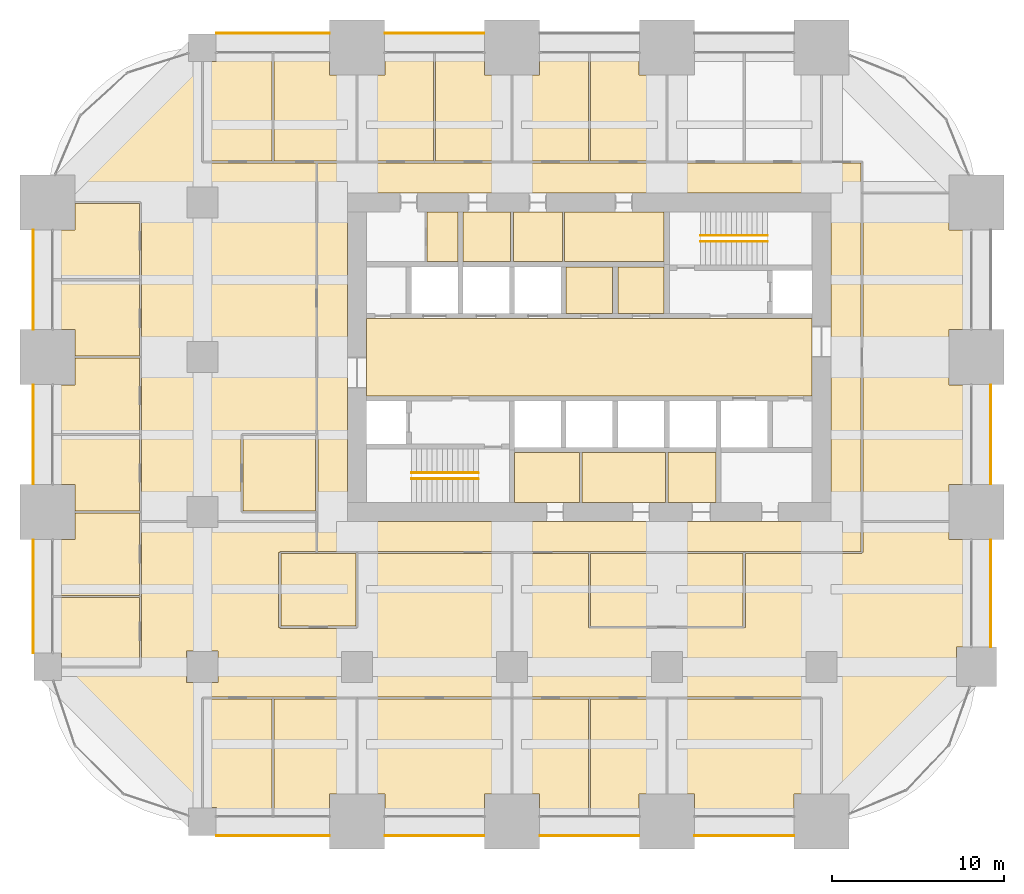
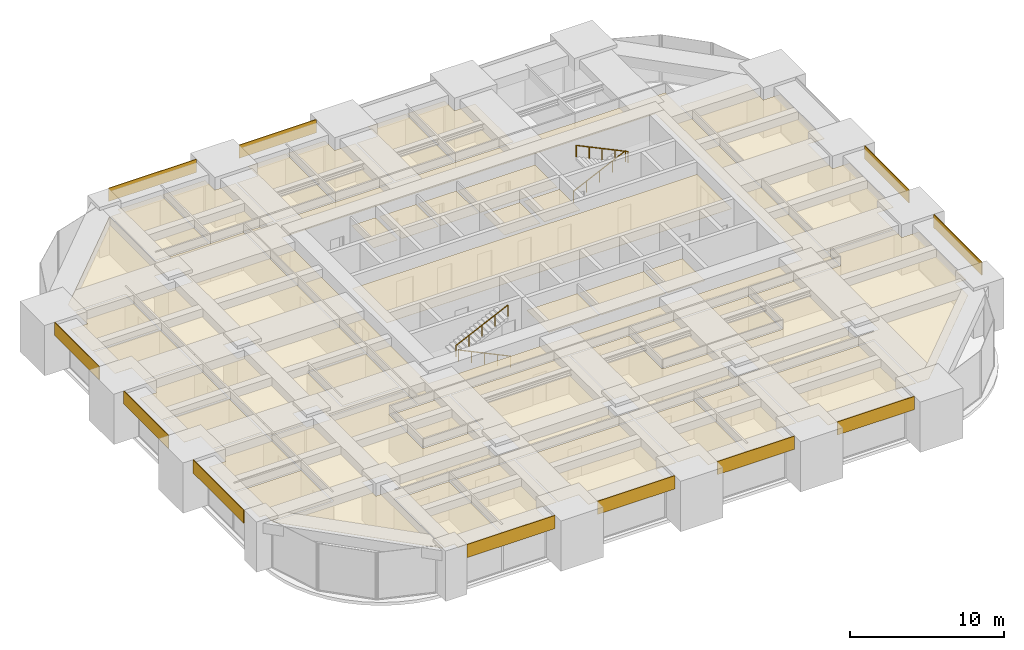
# One storey, part 35 of 36: 47 coverings, 4 railings.
"""IFC4 building model written with IfcOpenShell, lengths in metres."""

from ifc_helpers import new_model, si_unit, direction, frame, frame_2d, origin, origin_2d, place, context, subcontext, project, spatial, polyline, rectangle, circle, outline, extrude, material, layer, layer_set, type_object, element, save


model = new_model("IFC4")

# Units and contexts
model_context = context("Model", 3, precision=1e-05, world=origin(), true_north=direction((0.0, 1.0)))
body_context = subcontext(model_context, "Body", "Model", "MODEL_VIEW")
ifc_project = project(units=[si_unit("LENGTHUNIT", "METRE"), si_unit("AREAUNIT", "SQUARE_METRE"), si_unit("VOLUMEUNIT", "CUBIC_METRE"), si_unit("PLANEANGLEUNIT", "RADIAN"), si_unit("MASSUNIT", "GRAM", prefix="KILO")], contexts=[model_context])

# Site, building, storey
site_placement = place(None, origin())
site = spatial("IfcSite", under=ifc_project, at=site_placement, CompositionType="ELEMENT")
building_placement = place(site_placement, origin())
building = spatial("IfcBuilding", under=site, at=building_placement, Name="Zorevar Civic Tower", CompositionType="ELEMENT")
storey_placement = place(building_placement, frame((0.0, 0.0, 166.199951171875)))
storey = spatial("IfcBuildingStorey", under=building, at=storey_placement, Name="L40", CompositionType="ELEMENT", Elevation=166.199951171875)

# Railings
ifc_material_1 = material(Name="Black steel handrail", Category="steel")
railing_type = type_object("IfcRailingType", Name="Handrail HR1 900", PredefinedType="HANDRAIL", material=ifc_material_1)
railing_1_placement = place(storey_placement, frame((25.050048828125, 19.925048828125, 0.142822265625)))
element("IfcRailing", 1, at=railing_1_placement, inside=storey, type_object=railing_type, Name="Handrail HR1 ST1 L40", PredefinedType="HANDRAIL", context=body_context, shape_type="SweptSolid", body=[
    extrude(circle(Radius=0.02392578125, at=origin_2d()), frame((0.0, 0.0, 0.8759765625), z_axis=(-0.902863652845, 0.0, 0.429926998885), x_axis=(0.0, -1.0, 0.0)), (0.0, 0.0, 1.0), 4.31982421875),
    extrude(circle(Radius=0.02099609375, at=origin_2d()), origin(), (0.0, 0.0, 1.0), 0.851806640625),
    extrude(circle(Radius=0.02099609375, at=origin_2d()), frame((-0.97509765625, 0.0, 0.46435546875)), (0.0, 0.0, 1.0), 0.851806640625),
    extrude(circle(Radius=0.02099609375, at=origin_2d()), frame((-1.9501953125, 0.0, 0.9287109375)), (0.0, 0.0, 1.0), 0.851806640625),
    extrude(circle(Radius=0.02099609375, at=origin_2d()), frame((-2.925048828125, 0.0, 1.392822265625)), (0.0, 0.0, 1.0), 0.851806640625),
    extrude(circle(Radius=0.02099609375, at=origin_2d()), frame((-3.900146484375, 0.0, 1.857177734375)), (0.0, 0.0, 1.0), 0.851806640625),
])
for number, where, name in (
    (2, (21.14990234375, 20.27490234375, 2.142822265625), "Handrail HR1 ST1 L40"),
    (3, (37.949951171875, 34.074951171875, 0.142822265625), "Handrail HR1 ST2 L40"),
):
    element("IfcRailing", number, at=place(storey_placement, frame(where)), inside=storey, type_object=railing_type, Name=name, PredefinedType="HANDRAIL", context=body_context, shape_type="SweptSolid", body=[
        extrude(circle(Radius=0.02392578125, at=origin_2d()), frame((0.0, 0.0, 0.8759765625), z_axis=(0.902863652845, 0.0, 0.429926998885), x_axis=(0.0, 1.0, 0.0)), (0.0, 0.0, 1.0), 4.31982421875),
        extrude(circle(Radius=0.02099609375, at=origin_2d()), origin(), (0.0, 0.0, 1.0), 0.851806640625),
        extrude(circle(Radius=0.02099609375, at=origin_2d()), frame((0.97509765625, 0.0, 0.46435546875)), (0.0, 0.0, 1.0), 0.851806640625),
        extrude(circle(Radius=0.02099609375, at=origin_2d()), frame((1.9501953125, 0.0, 0.9287109375)), (0.0, 0.0, 1.0), 0.851806640625),
        extrude(circle(Radius=0.02099609375, at=origin_2d()), frame((2.925048828125, 0.0, 1.392822265625)), (0.0, 0.0, 1.0), 0.851806640625),
        extrude(circle(Radius=0.02099609375, at=origin_2d()), frame((3.900146484375, 0.0, 1.857177734375)), (0.0, 0.0, 1.0), 0.851806640625),
    ])
railing_2_placement = place(storey_placement, frame((41.85009765625, 33.72509765625, 2.142822265625)))
element("IfcRailing", 4, at=railing_2_placement, inside=storey, type_object=railing_type, Name="Handrail HR1 ST2 L40", PredefinedType="HANDRAIL", context=body_context, shape_type="SweptSolid", body=[
    extrude(circle(Radius=0.02392578125, at=origin_2d()), frame((0.0, 0.0, 0.8759765625), z_axis=(-0.902863652845, 0.0, 0.429926998885), x_axis=(0.0, -1.0, 0.0)), (0.0, 0.0, 1.0), 4.31982421875),
    extrude(circle(Radius=0.02099609375, at=origin_2d()), origin(), (0.0, 0.0, 1.0), 0.851806640625),
    extrude(circle(Radius=0.02099609375, at=origin_2d()), frame((-0.97509765625, 0.0, 0.46435546875)), (0.0, 0.0, 1.0), 0.851806640625),
    extrude(circle(Radius=0.02099609375, at=origin_2d()), frame((-1.9501953125, 0.0, 0.9287109375)), (0.0, 0.0, 1.0), 0.851806640625),
    extrude(circle(Radius=0.02099609375, at=origin_2d()), frame((-2.925048828125, 0.0, 1.392822265625)), (0.0, 0.0, 1.0), 0.851806640625),
    extrude(circle(Radius=0.02099609375, at=origin_2d()), frame((-3.900146484375, 0.0, 1.857177734375)), (0.0, 0.0, 1.0), 0.851806640625),
])

# Coverings
ifc_material_2 = material(Name="Moisture-resistant gypsum board")
ifc_layer_1 = layer(ifc_material_2, 0.012451171875)
ifc_layer_set_1 = layer_set([ifc_layer_1], Name="Moisture-resistant ceiling SC3")
covering_type_1 = type_object("IfcCoveringType", Name="Moisture-resistant ceiling SC3", PredefinedType="CEILING", material=ifc_layer_set_1)
covering_1_placement = place(storey_placement, frame((0.0, 0.0, 3.0)))
element("IfcCovering", 5, at=covering_1_placement, inside=storey, type_object=covering_type_1, Name="Ceiling L40-05", PredefinedType="CEILING", context=body_context, shape_type="SweptSolid", body=[
    extrude(outline(polyline([(30.925048828125, 18.550048828125), (30.925048828125, 21.449951171875), (27.14990234375, 21.449951171875), (27.14990234375, 18.550048828125), (30.925048828125, 18.550048828125)])), origin(), (0.0, 0.0, 1.0), 0.012451171875),
])
covering_2_placement = place(storey_placement, frame((0.0, 0.0, 3.0)))
element("IfcCovering", 6, at=covering_2_placement, inside=storey, type_object=covering_type_1, Name="Ceiling L40-06", PredefinedType="CEILING", context=body_context, shape_type="SweptSolid", body=[
    extrude(outline(polyline([(35.925048828125, 18.550048828125), (35.925048828125, 21.449951171875), (31.074951171875, 21.449951171875), (31.074951171875, 18.550048828125), (35.925048828125, 18.550048828125)])), origin(), (0.0, 0.0, 1.0), 0.012451171875),
])
covering_3_placement = place(storey_placement, frame((0.0, 0.0, 3.0)))
element("IfcCovering", 7, at=covering_3_placement, inside=storey, type_object=covering_type_1, Name="Ceiling L40-07", PredefinedType="CEILING", context=body_context, shape_type="SweptSolid", body=[
    extrude(outline(polyline([(38.85009765625, 18.550048828125), (38.85009765625, 21.449951171875), (36.074951171875, 21.449951171875), (36.074951171875, 18.550048828125), (38.85009765625, 18.550048828125)])), origin(), (0.0, 0.0, 1.0), 0.012451171875),
])
covering_4_placement = place(storey_placement, frame((0.0, 0.0, 3.0)))
element("IfcCovering", 8, at=covering_4_placement, inside=storey, type_object=covering_type_1, Name="Ceiling L40-10", PredefinedType="CEILING", context=body_context, shape_type="SweptSolid", body=[
    extrude(outline(polyline([(26.925048828125, 32.550048828125), (26.925048828125, 35.449951171875), (24.14990234375, 35.449951171875), (24.14990234375, 32.550048828125), (26.925048828125, 32.550048828125)])), origin(), (0.0, 0.0, 1.0), 0.012451171875),
])
ifc_material_3 = material(Name="Black anodised aluminium spandrel panel", Category="aluminium")
ifc_layer_2 = layer(ifc_material_3, 0.050048828125)
ifc_layer_set_2 = layer_set([ifc_layer_2], Name="Spandrel cladding SP1")
covering_type_2 = type_object("IfcCoveringType", Name="Spandrel cladding SP1", PredefinedType="CLADDING", material=ifc_layer_set_2)
covering_5_placement = place(storey_placement, frame((9.800048828125, -0.824951171875, 2.949951171875), z_axis=(0.0, 0.0, 1.0), x_axis=(1.0, 0.0, 0.0)))
element("IfcCovering", 9, at=covering_5_placement, inside=storey, type_object=covering_type_2, Name="Spandrel cladding L41", PredefinedType="CLADDING", context=body_context, shape_type="SweptSolid", body=[
    extrude(rectangle(XDim=6.599853515625, YDim=0.050048828125, at=frame_2d((3.2998046875, 0.0))), origin(), (0.0, 0.0, 1.0), 1.050048828125),
])
for number, where, z_axis, x_axis, name in (
    (10, (19.60009765625, -0.824951171875, 2.949951171875), (0.0, 0.0, 1.0), (1.0, 0.0, 0.0), "Spandrel cladding L41"),
    (11, (28.60009765625, -0.824951171875, 2.949951171875), (0.0, 0.0, 1.0), (1.0, 0.0, 0.0), "Spandrel cladding L41"),
    (12, (37.60009765625, -0.824951171875, 2.949951171875), (0.0, 0.0, 1.0), (1.0, 0.0, 0.0), "Spandrel cladding L41"),
):
    element("IfcCovering", number, at=place(storey_placement, frame(where, z_axis=z_axis, x_axis=x_axis)), inside=storey, type_object=covering_type_2, Name=name, PredefinedType="CLADDING", context=body_context, shape_type="SweptSolid", body=[
        extrude(rectangle(XDim=5.7998046875, YDim=0.050048828125, at=frame_2d((2.89990234375, 0.0))), origin(), (0.0, 0.0, 1.0), 1.050048828125),
    ])
covering_6_placement = place(storey_placement, frame((9.800048828125, 45.824951171875, 2.949951171875), z_axis=(0.0, 0.0, 1.0), x_axis=(1.0, 0.0, 0.0)))
element("IfcCovering", 13, at=covering_6_placement, inside=storey, type_object=covering_type_2, Name="Spandrel cladding L41", PredefinedType="CLADDING", context=body_context, shape_type="SweptSolid", body=[
    extrude(rectangle(XDim=6.599853515625, YDim=0.050048828125, at=frame_2d((3.2998046875, 0.0))), origin(), (0.0, 0.0, 1.0), 1.050048828125),
])
covering_7_placement = place(storey_placement, frame((19.60009765625, 45.824951171875, 2.949951171875), z_axis=(0.0, 0.0, 1.0), x_axis=(1.0, 0.0, 0.0)))
element("IfcCovering", 14, at=covering_7_placement, inside=storey, type_object=covering_type_2, Name="Spandrel cladding L41", PredefinedType="CLADDING", context=body_context, shape_type="SweptSolid", body=[
    extrude(rectangle(XDim=5.7998046875, YDim=0.050048828125, at=frame_2d((2.89990234375, 0.0))), origin(), (0.0, 0.0, 1.0), 1.050048828125),
])
covering_8_placement = place(storey_placement, frame((-0.824951171875, 9.800048828125, 2.949951171875), z_axis=(0.0, 0.0, 1.0), x_axis=(0.0, 1.0, 0.0)))
element("IfcCovering", 15, at=covering_8_placement, inside=storey, type_object=covering_type_2, Name="Spandrel cladding L41", PredefinedType="CLADDING", context=body_context, shape_type="SweptSolid", body=[
    extrude(rectangle(XDim=6.599853515625, YDim=0.050048828125, at=frame_2d((3.2998046875, 0.0))), origin(), (0.0, 0.0, 1.0), 1.050048828125),
])
for number, where, z_axis, x_axis, name in (
    (16, (-0.824951171875, 19.60009765625, 2.949951171875), (0.0, 0.0, 1.0), (0.0, 1.0, 0.0), "Spandrel cladding L41"),
    (17, (-0.824951171875, 28.60009765625, 2.949951171875), (0.0, 0.0, 1.0), (0.0, 1.0, 0.0), "Spandrel cladding L41"),
):
    element("IfcCovering", number, at=place(storey_placement, frame(where, z_axis=z_axis, x_axis=x_axis)), inside=storey, type_object=covering_type_2, Name=name, PredefinedType="CLADDING", context=body_context, shape_type="SweptSolid", body=[
        extrude(rectangle(XDim=5.7998046875, YDim=0.050048828125, at=frame_2d((2.89990234375, 0.0))), origin(), (0.0, 0.0, 1.0), 1.050048828125),
    ])
covering_9_placement = place(storey_placement, frame((54.824951171875, 10.14990234375, 2.949951171875), z_axis=(0.0, 0.0, 1.0), x_axis=(0.0, 1.0, 0.0)))
element("IfcCovering", 18, at=covering_9_placement, inside=storey, type_object=covering_type_2, Name="Spandrel cladding L41", PredefinedType="CLADDING", context=body_context, shape_type="SweptSolid", body=[
    extrude(rectangle(XDim=6.25, YDim=0.050048828125, at=frame_2d((3.125, 0.0))), origin(), (0.0, 0.0, 1.0), 1.050048828125),
])
covering_10_placement = place(storey_placement, frame((54.824951171875, 19.60009765625, 2.949951171875), z_axis=(0.0, 0.0, 1.0), x_axis=(0.0, 1.0, 0.0)))
element("IfcCovering", 19, at=covering_10_placement, inside=storey, type_object=covering_type_2, Name="Spandrel cladding L41", PredefinedType="CLADDING", context=body_context, shape_type="SweptSolid", body=[
    extrude(rectangle(XDim=5.7998046875, YDim=0.050048828125, at=frame_2d((2.89990234375, 0.0))), origin(), (0.0, 0.0, 1.0), 1.050048828125),
])
ifc_material_4 = material(Name="Mineral fibre tiles on a concealed grid")
ifc_layer_3 = layer(ifc_material_4, 0.02001953125)
ifc_layer_set_3 = layer_set([ifc_layer_3], Name="Suspended ceiling SC1")
covering_type_3 = type_object("IfcCoveringType", Name="Suspended ceiling SC1", PredefinedType="CEILING", material=ifc_layer_set_3)
covering_11_placement = place(storey_placement, frame((0.0, 0.0, 3.0)))
element("IfcCovering", 20, at=covering_11_placement, inside=storey, type_object=covering_type_3, Name="Ceiling L40-08", PredefinedType="CEILING", context=body_context, shape_type="SweptSolid", body=[
    extrude(outline(polyline([(35.85009765625, 32.550048828125), (35.85009765625, 35.449951171875), (30.06005859375, 35.449951171875), (30.06005859375, 32.550048828125), (35.85009765625, 32.550048828125)])), origin(), (0.0, 0.0, 1.0), 0.02001953125),
])
covering_12_placement = place(storey_placement, frame((0.0, 0.0, 3.0)))
element("IfcCovering", 21, at=covering_12_placement, inside=storey, type_object=covering_type_3, Name="Ceiling L40-09", PredefinedType="CEILING", context=body_context, shape_type="SweptSolid", body=[
    extrude(outline(polyline([(29.93994140625, 32.550048828125), (29.93994140625, 35.449951171875), (27.074951171875, 35.449951171875), (27.074951171875, 32.550048828125), (29.93994140625, 32.550048828125)])), origin(), (0.0, 0.0, 1.0), 0.02001953125),
])
covering_13_placement = place(storey_placement, frame((0.0, 0.0, 3.0)))
element("IfcCovering", 22, at=covering_13_placement, inside=storey, type_object=covering_type_3, Name="Ceiling L40-12", PredefinedType="CEILING", context=body_context, shape_type="SweptSolid", body=[
    extrude(outline(polyline([(23.85009765625, 32.550048828125), (23.85009765625, 35.449951171875), (22.06005859375, 35.449951171875), (22.06005859375, 32.550048828125), (23.85009765625, 32.550048828125)])), origin(), (0.0, 0.0, 1.0), 0.02001953125),
])
covering_14_placement = place(storey_placement, frame((0.0, 0.0, 3.0)))
element("IfcCovering", 23, at=covering_14_placement, inside=storey, type_object=covering_type_3, Name="Ceiling L40-16", PredefinedType="CEILING", context=body_context, shape_type="SweptSolid", body=[
    extrude(outline(polyline([(44.449951171875, 24.75), (44.449951171875, 29.25), (18.550048828125, 29.25), (18.550048828125, 24.75), (44.449951171875, 24.75)])), origin(), (0.0, 0.0, 1.0), 0.02001953125),
])
covering_15_placement = place(storey_placement, frame((0.0, 0.0, 3.0)))
element("IfcCovering", 24, at=covering_15_placement, inside=storey, type_object=covering_type_3, Name="Ceiling L40-17", PredefinedType="CEILING", context=body_context, shape_type="SweptSolid", body=[
    extrude(outline(polyline([(35.85009765625, 29.550048828125), (35.85009765625, 32.25), (33.14990234375, 32.25), (33.14990234375, 29.550048828125), (35.85009765625, 29.550048828125)])), origin(), (0.0, 0.0, 1.0), 0.02001953125),
])
covering_16_placement = place(storey_placement, frame((0.0, 0.0, 3.0)))
element("IfcCovering", 25, at=covering_16_placement, inside=storey, type_object=covering_type_3, Name="Ceiling L40-18", PredefinedType="CEILING", context=body_context, shape_type="SweptSolid", body=[
    extrude(outline(polyline([(32.85009765625, 29.550048828125), (32.85009765625, 32.25), (30.14990234375, 32.25), (30.14990234375, 29.550048828125), (32.85009765625, 29.550048828125)])), origin(), (0.0, 0.0, 1.0), 0.02001953125),
])
covering_17_placement = place(storey_placement, frame((0.0, 0.0, 3.0)))
element("IfcCovering", 26, at=covering_17_placement, inside=storey, type_object=covering_type_3, Name="Ceiling L40-19", PredefinedType="CEILING", context=body_context, shape_type="SweptSolid", body=[
    extrude(outline(polyline([(13.0400390625, 7.139892578125), (13.0400390625, 0.35009765625), (9.81005859375, 0.35009765625), (9.81005859375, 0.81005859375), (9.06005859375, 0.81005859375), (9.06005859375, 7.139892578125), (13.0400390625, 7.139892578125)])), origin(), (0.0, 0.0, 1.0), 0.02001953125),
])
covering_18_placement = place(storey_placement, frame((0.0, 0.0, 3.0)))
element("IfcCovering", 27, at=covering_18_placement, inside=storey, type_object=covering_type_3, Name="Ceiling L40-20", PredefinedType="CEILING", context=body_context, shape_type="SweptSolid", body=[
    extrude(outline(polyline([(17.93994140625, 7.139892578125), (17.93994140625, 1.610107421875), (16.389892578125, 1.610107421875), (16.389892578125, 0.35009765625), (13.159912109375, 0.35009765625), (13.159912109375, 7.139892578125), (17.93994140625, 7.139892578125)])), origin(), (0.0, 0.0, 1.0), 0.02001953125),
])
covering_19_placement = place(storey_placement, frame((0.0, 0.0, 3.0)))
element("IfcCovering", 28, at=covering_19_placement, inside=storey, type_object=covering_type_3, Name="Ceiling L40-21", PredefinedType="CEILING", context=body_context, shape_type="SweptSolid", body=[
    extrude(outline(polyline([(19.610107421875, 0.35009765625), (19.610107421875, 1.610107421875), (18.06005859375, 1.610107421875), (18.06005859375, 7.139892578125), (26.93994140625, 7.139892578125), (26.93994140625, 1.610107421875), (25.389892578125, 1.610107421875), (25.389892578125, 0.35009765625), (19.610107421875, 0.35009765625)])), origin(), (0.0, 0.0, 1.0), 0.02001953125),
])
covering_20_placement = place(storey_placement, frame((0.0, 0.0, 3.0)))
element("IfcCovering", 29, at=covering_20_placement, inside=storey, type_object=covering_type_3, Name="Ceiling L40-22", PredefinedType="CEILING", context=body_context, shape_type="SweptSolid", body=[
    extrude(outline(polyline([(31.43994140625, 7.139892578125), (31.43994140625, 0.35009765625), (28.610107421875, 0.35009765625), (28.610107421875, 1.610107421875), (27.06005859375, 1.610107421875), (27.06005859375, 7.139892578125), (31.43994140625, 7.139892578125)])), origin(), (0.0, 0.0, 1.0), 0.02001953125),
])
covering_21_placement = place(storey_placement, frame((0.0, 0.0, 3.0)))
element("IfcCovering", 30, at=covering_21_placement, inside=storey, type_object=covering_type_3, Name="Ceiling L40-23", PredefinedType="CEILING", context=body_context, shape_type="SweptSolid", body=[
    extrude(outline(polyline([(35.93994140625, 7.139892578125), (35.93994140625, 1.610107421875), (34.389892578125, 1.610107421875), (34.389892578125, 0.35009765625), (31.56005859375, 0.35009765625), (31.56005859375, 7.139892578125), (35.93994140625, 7.139892578125)])), origin(), (0.0, 0.0, 1.0), 0.02001953125),
])
covering_22_placement = place(storey_placement, frame((0.0, 0.0, 3.0)))
element("IfcCovering", 31, at=covering_22_placement, inside=storey, type_object=covering_type_3, Name="Ceiling L40-24", PredefinedType="CEILING", context=body_context, shape_type="SweptSolid", body=[
    extrude(outline(polyline([(37.610107421875, 0.35009765625), (37.610107421875, 1.610107421875), (36.06005859375, 1.610107421875), (36.06005859375, 7.139892578125), (44.93994140625, 7.139892578125), (44.93994140625, 1.610107421875), (43.389892578125, 1.610107421875), (43.389892578125, 0.35009765625), (37.610107421875, 0.35009765625)])), origin(), (0.0, 0.0, 1.0), 0.02001953125),
])
covering_23_placement = place(storey_placement, frame((0.0, 0.0, 3.0)))
element("IfcCovering", 32, at=covering_23_placement, inside=storey, type_object=covering_type_3, Name="Ceiling L40-25", PredefinedType="CEILING", context=body_context, shape_type="SweptSolid", body=[
    extrude(outline(polyline([(9.06005859375, 38.409912109375), (9.06005859375, 44.18994140625), (9.81005859375, 44.18994140625), (9.81005859375, 44.64990234375), (13.0400390625, 44.64990234375), (13.0400390625, 38.409912109375), (9.06005859375, 38.409912109375)])), origin(), (0.0, 0.0, 1.0), 0.02001953125),
])
covering_24_placement = place(storey_placement, frame((0.0, 0.0, 3.0)))
element("IfcCovering", 33, at=covering_24_placement, inside=storey, type_object=covering_type_3, Name="Ceiling L40-26", PredefinedType="CEILING", context=body_context, shape_type="SweptSolid", body=[
    extrude(outline(polyline([(13.159912109375, 38.409912109375), (13.159912109375, 44.64990234375), (16.389892578125, 44.64990234375), (16.389892578125, 43.389892578125), (17.93994140625, 43.389892578125), (17.93994140625, 38.409912109375), (13.159912109375, 38.409912109375)])), origin(), (0.0, 0.0, 1.0), 0.02001953125),
])
covering_25_placement = place(storey_placement, frame((0.0, 0.0, 3.0)))
element("IfcCovering", 34, at=covering_25_placement, inside=storey, type_object=covering_type_3, Name="Ceiling L40-27", PredefinedType="CEILING", context=body_context, shape_type="SweptSolid", body=[
    extrude(outline(polyline([(18.06005859375, 38.409912109375), (18.06005859375, 43.389892578125), (19.610107421875, 43.389892578125), (19.610107421875, 44.64990234375), (22.43994140625, 44.64990234375), (22.43994140625, 38.409912109375), (18.06005859375, 38.409912109375)])), origin(), (0.0, 0.0, 1.0), 0.02001953125),
])
covering_26_placement = place(storey_placement, frame((0.0, 0.0, 3.0)))
element("IfcCovering", 35, at=covering_26_placement, inside=storey, type_object=covering_type_3, Name="Ceiling L40-28", PredefinedType="CEILING", context=body_context, shape_type="SweptSolid", body=[
    extrude(outline(polyline([(22.56005859375, 38.409912109375), (22.56005859375, 44.64990234375), (25.389892578125, 44.64990234375), (25.389892578125, 43.389892578125), (26.93994140625, 43.389892578125), (26.93994140625, 38.409912109375), (22.56005859375, 38.409912109375)])), origin(), (0.0, 0.0, 1.0), 0.02001953125),
])
covering_27_placement = place(storey_placement, frame((0.0, 0.0, 3.0)))
element("IfcCovering", 36, at=covering_27_placement, inside=storey, type_object=covering_type_3, Name="Ceiling L40-29", PredefinedType="CEILING", context=body_context, shape_type="SweptSolid", body=[
    extrude(outline(polyline([(27.06005859375, 38.409912109375), (27.06005859375, 43.389892578125), (28.610107421875, 43.389892578125), (28.610107421875, 44.64990234375), (31.43994140625, 44.64990234375), (31.43994140625, 38.409912109375), (27.06005859375, 38.409912109375)])), origin(), (0.0, 0.0, 1.0), 0.02001953125),
])
covering_28_placement = place(storey_placement, frame((0.0, 0.0, 3.0)))
element("IfcCovering", 37, at=covering_28_placement, inside=storey, type_object=covering_type_3, Name="Ceiling L40-30", PredefinedType="CEILING", context=body_context, shape_type="SweptSolid", body=[
    extrude(outline(polyline([(31.56005859375, 38.409912109375), (31.56005859375, 44.64990234375), (34.389892578125, 44.64990234375), (34.389892578125, 43.389892578125), (35.93994140625, 43.389892578125), (35.93994140625, 38.409912109375), (31.56005859375, 38.409912109375)])), origin(), (0.0, 0.0, 1.0), 0.02001953125),
])
covering_29_placement = place(storey_placement, frame((0.0, 0.0, 3.0)))
element("IfcCovering", 38, at=covering_29_placement, inside=storey, type_object=covering_type_3, Name="Ceiling L40-33", PredefinedType="CEILING", context=body_context, shape_type="SweptSolid", body=[
    extrude(outline(polyline([(5.340087890625, 9.06005859375), (0.81005859375, 9.06005859375), (0.81005859375, 9.81005859375), (0.35009765625, 9.81005859375), (0.35009765625, 13.0400390625), (5.340087890625, 13.0400390625), (5.340087890625, 9.06005859375)])), origin(), (0.0, 0.0, 1.0), 0.02001953125),
])
covering_30_placement = place(storey_placement, frame((0.0, 0.0, 3.0)))
element("IfcCovering", 39, at=covering_30_placement, inside=storey, type_object=covering_type_3, Name="Ceiling L40-34", PredefinedType="CEILING", context=body_context, shape_type="SweptSolid", body=[
    extrude(outline(polyline([(5.340087890625, 13.159912109375), (0.35009765625, 13.159912109375), (0.35009765625, 16.389892578125), (1.610107421875, 16.389892578125), (1.610107421875, 17.93994140625), (5.340087890625, 17.93994140625), (5.340087890625, 13.159912109375)])), origin(), (0.0, 0.0, 1.0), 0.02001953125),
])
covering_31_placement = place(storey_placement, frame((0.0, 0.0, 3.0)))
element("IfcCovering", 40, at=covering_31_placement, inside=storey, type_object=covering_type_3, Name="Ceiling L40-35", PredefinedType="CEILING", context=body_context, shape_type="SweptSolid", body=[
    extrude(outline(polyline([(5.340087890625, 18.06005859375), (1.610107421875, 18.06005859375), (1.610107421875, 19.610107421875), (0.35009765625, 19.610107421875), (0.35009765625, 22.43994140625), (5.340087890625, 22.43994140625), (5.340087890625, 18.06005859375)])), origin(), (0.0, 0.0, 1.0), 0.02001953125),
])
covering_32_placement = place(storey_placement, frame((0.0, 0.0, 3.0)))
element("IfcCovering", 41, at=covering_32_placement, inside=storey, type_object=covering_type_3, Name="Ceiling L40-36", PredefinedType="CEILING", context=body_context, shape_type="SweptSolid", body=[
    extrude(outline(polyline([(5.340087890625, 22.56005859375), (0.35009765625, 22.56005859375), (0.35009765625, 25.389892578125), (1.610107421875, 25.389892578125), (1.610107421875, 26.93994140625), (5.340087890625, 26.93994140625), (5.340087890625, 22.56005859375)])), origin(), (0.0, 0.0, 1.0), 0.02001953125),
])
covering_33_placement = place(storey_placement, frame((0.0, 0.0, 3.0)))
element("IfcCovering", 42, at=covering_33_placement, inside=storey, type_object=covering_type_3, Name="Ceiling L40-37", PredefinedType="CEILING", context=body_context, shape_type="SweptSolid", body=[
    extrude(outline(polyline([(5.340087890625, 27.06005859375), (1.610107421875, 27.06005859375), (1.610107421875, 28.610107421875), (0.35009765625, 28.610107421875), (0.35009765625, 31.43994140625), (5.340087890625, 31.43994140625), (5.340087890625, 27.06005859375)])), origin(), (0.0, 0.0, 1.0), 0.02001953125),
])
covering_34_placement = place(storey_placement, frame((0.0, 0.0, 3.0)))
element("IfcCovering", 43, at=covering_34_placement, inside=storey, type_object=covering_type_3, Name="Ceiling L40-38", PredefinedType="CEILING", context=body_context, shape_type="SweptSolid", body=[
    extrude(outline(polyline([(5.340087890625, 31.56005859375), (0.35009765625, 31.56005859375), (0.35009765625, 34.389892578125), (1.610107421875, 34.389892578125), (1.610107421875, 35.93994140625), (5.340087890625, 35.93994140625), (5.340087890625, 31.56005859375)])), origin(), (0.0, 0.0, 1.0), 0.02001953125),
])
covering_35_placement = place(storey_placement, frame((0.0, 0.0, 3.0)))
element("IfcCovering", 44, at=covering_35_placement, inside=storey, type_object=covering_type_3, Name="Ceiling L40-39", PredefinedType="CEILING", context=body_context, shape_type="SweptSolid", body=[
    extrude(outline(polyline([(31.56005859375, 15.590087890625), (40.43994140625, 15.590087890625), (40.43994140625, 11.35009765625), (31.56005859375, 11.35009765625), (31.56005859375, 15.590087890625)])), origin(), (0.0, 0.0, 1.0), 0.02001953125),
])
covering_36_placement = place(storey_placement, frame((0.0, 0.0, 3.0)))
element("IfcCovering", 45, at=covering_36_placement, inside=storey, type_object=covering_type_3, Name="Ceiling L40-40", PredefinedType="CEILING", context=body_context, shape_type="SweptSolid", body=[
    extrude(outline(polyline([(11.360107421875, 22.43994140625), (15.590087890625, 22.43994140625), (15.590087890625, 18.06005859375), (11.360107421875, 18.06005859375), (11.360107421875, 22.43994140625)])), origin(), (0.0, 0.0, 1.0), 0.02001953125),
])
covering_37_placement = place(storey_placement, frame((0.0, 0.0, 3.0)))
element("IfcCovering", 46, at=covering_37_placement, inside=storey, type_object=covering_type_3, Name="Ceiling L40-41", PredefinedType="CEILING", context=body_context, shape_type="SweptSolid", body=[
    extrude(outline(polyline([(13.56005859375, 15.590087890625), (17.93994140625, 15.590087890625), (17.93994140625, 11.360107421875), (13.56005859375, 11.360107421875), (13.56005859375, 15.590087890625)])), origin(), (0.0, 0.0, 1.0), 0.02001953125),
])
covering_38_placement = place(storey_placement, frame((0.0, 0.0, 3.0)))
element("IfcCovering", 47, at=covering_38_placement, inside=storey, type_object=covering_type_3, Name="Ceiling L40-42", PredefinedType="CEILING", context=body_context, shape_type="SweptSolid", body=[
    extrude(outline(polyline([(15.699951171875, 15.7099609375), (15.699951171875, 18.0), (15.7099609375, 18.0), (15.7099609375, 22.5), (15.699951171875, 22.5), (15.699951171875, 38.2900390625), (45.0, 38.2900390625), (45.0, 38.300048828125), (47.300048828125, 38.300048828125), (47.300048828125, 15.699951171875), (40.5, 15.699951171875), (40.5, 15.7099609375), (31.5, 15.7099609375), (31.5, 15.699951171875), (18.0, 15.699951171875), (18.0, 15.7099609375), (15.699951171875, 15.7099609375)]), holes=[polyline([(45.550048828125, 17.449951171875), (45.550048828125, 36.550048828125), (17.449951171875, 36.550048828125), (17.449951171875, 17.449951171875), (45.550048828125, 17.449951171875)])]), origin(), (0.0, 0.0, 1.0), 0.02001953125),
])
covering_39_placement = place(storey_placement, frame((0.0, 0.0, 3.0)))
element("IfcCovering", 48, at=covering_39_placement, inside=storey, type_object=covering_type_3, Name="Ceiling L40-43", PredefinedType="CEILING", context=body_context, shape_type="SweptSolid", body=[
    extrude(outline(polyline([(53.64990234375, 28.610107421875), (52.389892578125, 28.610107421875), (52.389892578125, 25.389892578125), (53.64990234375, 25.389892578125), (53.64990234375, 19.610107421875), (52.389892578125, 19.610107421875), (52.389892578125, 17.5), (47.39990234375, 17.5), (47.39990234375, 36.5), (52.389892578125, 36.5), (52.389892578125, 34.389892578125), (53.64990234375, 34.389892578125), (53.64990234375, 28.610107421875)])), origin(), (0.0, 0.0, 1.0), 0.02001953125),
])
covering_40_placement = place(storey_placement, frame((0.0, 0.0, 3.0)))
element("IfcCovering", 49, at=covering_40_placement, inside=storey, type_object=covering_type_3, Name="Ceiling L40-45", PredefinedType="CEILING", context=body_context, shape_type="SweptSolid", body=[
    extrude(outline(polyline([(5.39990234375, 8.93994140625), (5.39990234375, 9.0), (5.4599609375, 9.0), (5.4599609375, 17.39990234375), (8.090087890625, 17.39990234375), (8.090087890625, 17.090087890625), (9.909912109375, 17.090087890625), (9.909912109375, 17.39990234375), (15.60009765625, 17.39990234375), (15.60009765625, 15.7099609375), (13.5, 15.7099609375), (13.5, 15.64990234375), (13.43994140625, 15.64990234375), (13.43994140625, 11.300048828125), (13.5, 11.300048828125), (13.5, 11.239990234375), (18.0, 11.239990234375), (18.0, 11.300048828125), (18.06005859375, 11.300048828125), (18.06005859375, 15.60009765625), (26.949951171875, 15.60009765625), (26.949951171875, 9.909912109375), (26.090087890625, 9.909912109375), (26.090087890625, 8.090087890625), (26.949951171875, 8.090087890625), (26.949951171875, 7.260009765625), (9.0, 7.260009765625), (9.0, 7.199951171875), (8.93994140625, 7.199951171875), (8.93994140625, 0.81005859375), (8.897216796875, 0.81005859375), (0.81005859375, 8.897216796875), (0.81005859375, 8.93994140625), (5.39990234375, 8.93994140625)]), holes=[polyline([(9.909912109375, 9.909912109375), (8.090087890625, 9.909912109375), (8.090087890625, 8.090087890625), (9.909912109375, 8.090087890625), (9.909912109375, 9.909912109375)]), polyline([(17.090087890625, 8.090087890625), (18.909912109375, 8.090087890625), (18.909912109375, 9.909912109375), (17.090087890625, 9.909912109375), (17.090087890625, 8.090087890625)])]), origin(), (0.0, 0.0, 1.0), 0.02001953125),
])
covering_41_placement = place(storey_placement, frame((0.0, 0.0, 3.0)))
element("IfcCovering", 50, at=covering_41_placement, inside=storey, type_object=covering_type_3, Name="Ceiling L40-46", PredefinedType="CEILING", context=body_context, shape_type="SweptSolid", body=[
    extrude(outline(polyline([(45.06005859375, 7.199951171875), (45.0, 7.199951171875), (45.0, 7.260009765625), (27.050048828125, 7.260009765625), (27.050048828125, 8.090087890625), (27.909912109375, 8.090087890625), (27.909912109375, 9.909912109375), (27.050048828125, 9.909912109375), (27.050048828125, 15.60009765625), (31.43994140625, 15.60009765625), (31.43994140625, 11.300048828125), (31.5, 11.300048828125), (31.5, 11.25), (40.5, 11.25), (40.5, 11.300048828125), (40.56005859375, 11.300048828125), (40.56005859375, 15.60009765625), (47.35009765625, 15.60009765625), (47.35009765625, 15.64990234375), (47.39990234375, 15.64990234375), (47.39990234375, 17.39990234375), (52.389892578125, 17.39990234375), (52.389892578125, 16.389892578125), (53.64990234375, 16.389892578125), (53.64990234375, 10.159912109375), (52.840087890625, 10.159912109375), (52.840087890625, 8.547119140625), (45.90283203125, 1.610107421875), (45.06005859375, 1.610107421875), (45.06005859375, 7.199951171875)]), holes=[polyline([(35.090087890625, 9.909912109375), (35.090087890625, 8.090087890625), (36.909912109375, 8.090087890625), (36.909912109375, 9.909912109375), (35.090087890625, 9.909912109375)]), polyline([(45.909912109375, 8.090087890625), (45.909912109375, 9.909912109375), (44.090087890625, 9.909912109375), (44.090087890625, 8.090087890625), (45.909912109375, 8.090087890625)])]), origin(), (0.0, 0.0, 1.0), 0.02001953125),
])
covering_42_placement = place(storey_placement, frame((0.0, 0.0, 3.0)))
element("IfcCovering", 51, at=covering_42_placement, inside=storey, type_object=covering_type_3, Name="Ceiling L40-47", PredefinedType="CEILING", context=body_context, shape_type="SweptSolid", body=[
    extrude(outline(polyline([(8.93994140625, 44.18994140625), (8.93994140625, 38.35107421875), (9.0, 38.35009765625), (9.000244140625, 38.290283203125), (15.60009765625, 38.2900390625), (15.59912109375, 22.56103515625), (11.300048828125, 22.56103515625), (11.299072265625, 22.5009765625), (11.239013671875, 22.5), (11.2392578125, 17.999267578125), (11.299072265625, 17.9990234375), (11.300048828125, 17.93896484375), (15.59912109375, 17.93896484375), (15.59912109375, 17.5009765625), (9.909912109375, 17.5009765625), (9.909912109375, 18.909912109375), (8.090087890625, 18.909912109375), (8.090087890625, 17.5009765625), (5.4609375, 17.5009765625), (5.4609375, 36.000244140625), (5.40087890625, 36.0009765625), (5.39990234375, 36.06103515625), (1.610107421875, 36.06103515625), (1.610107421875, 36.90283203125), (8.897216796875, 44.18994140625), (8.93994140625, 44.18994140625)]), holes=[polyline([(9.909912109375, 26.090087890625), (9.909912109375, 27.909912109375), (8.090087890625, 27.909912109375), (8.090087890625, 26.090087890625), (9.909912109375, 26.090087890625)]), polyline([(8.090087890625, 35.090087890625), (9.909912109375, 35.090087890625), (9.909912109375, 36.909912109375), (8.090087890625, 36.909912109375), (8.090087890625, 35.090087890625)])]), origin(), (0.0, 0.0, 1.0), 0.02001953125),
])

save(model, "model.ifc")
